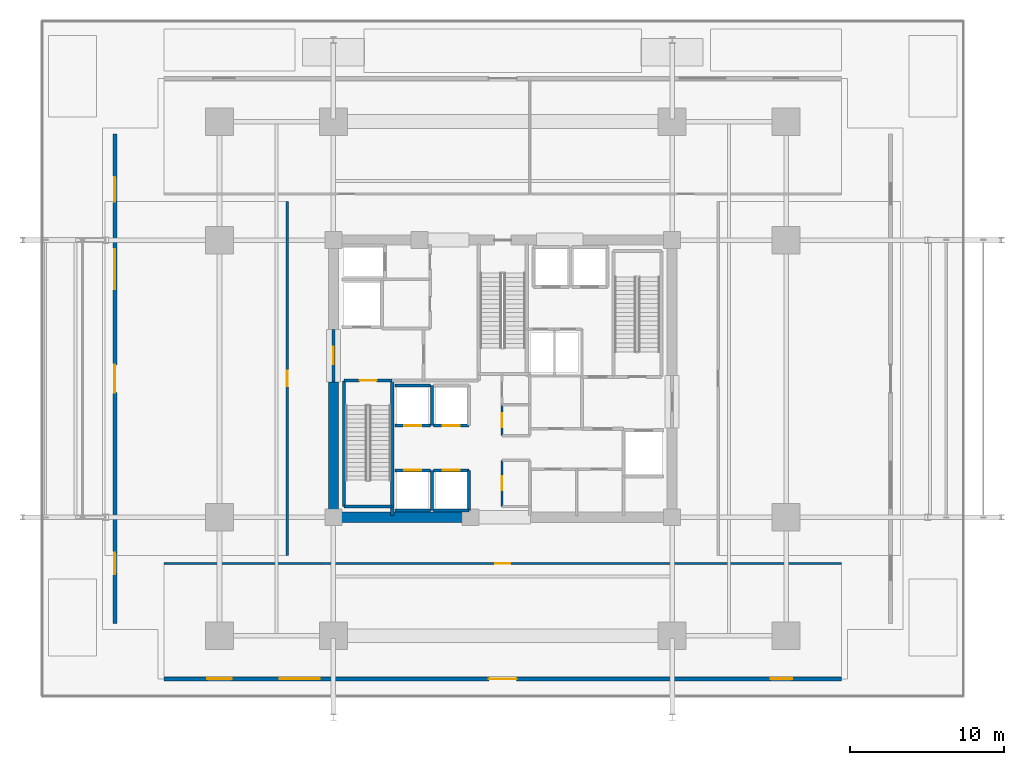
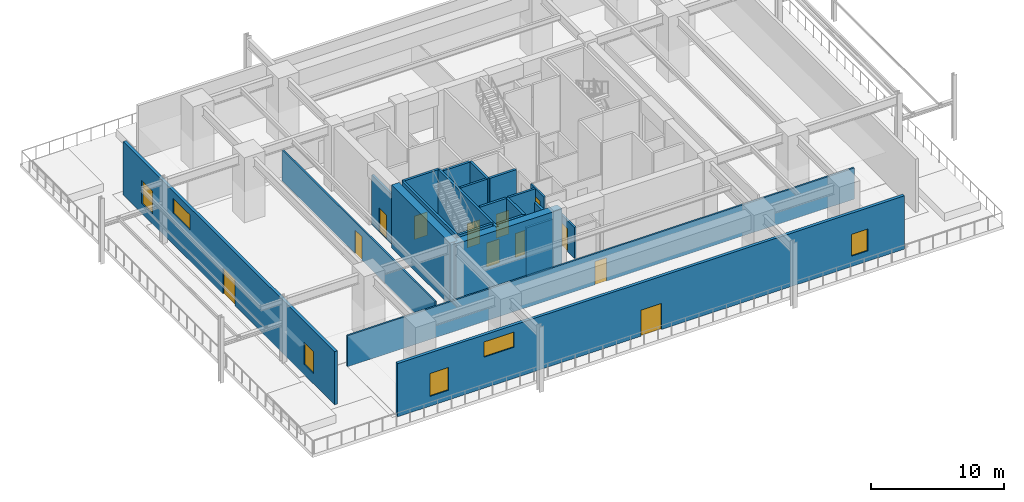
# One storey, part 6 of 14: 23 walls, 12 doors, 6 windows, 18 openings.
"""IFC4 building model written with IfcOpenShell, lengths in metres."""

from ifc_helpers import new_model, si_unit, direction, frame, frame_2d, origin, place, context, subcontext, project, spatial, rectangle, extrude, material, layer, layer_set, type_object, element, fill, save


model = new_model("IFC4")

# Units and contexts
model_context = context("Model", 3, precision=1e-05, world=origin(), true_north=direction((0.0, 1.0)))
body_context = subcontext(model_context, "Body", "Model", "MODEL_VIEW")
ifc_project = project(units=[si_unit("LENGTHUNIT", "METRE"), si_unit("AREAUNIT", "SQUARE_METRE"), si_unit("VOLUMEUNIT", "CUBIC_METRE"), si_unit("PLANEANGLEUNIT", "RADIAN"), si_unit("MASSUNIT", "GRAM", prefix="KILO")], contexts=[model_context])

# Site, building, storey
site_placement = place(None, origin())
site = spatial("IfcSite", under=ifc_project, at=site_placement, CompositionType="ELEMENT")
building_placement = place(site_placement, origin())
building = spatial("IfcBuilding", under=site, at=building_placement, Name="Kovane Verandah Tower", CompositionType="ELEMENT")
storey_placement = place(building_placement, frame((0.0, 0.0, 21.60009765625)))
storey = spatial("IfcBuildingStorey", under=building, at=storey_placement, Name="L04", CompositionType="ELEMENT", Elevation=21.60009765625)

# Wall, opening, door
ifc_material_1 = material(Name="Fire-Rated Gypsum Stud Partition", Category="gypsum")
ifc_layer_1 = layer(ifc_material_1, 0.14990234375)
ifc_layer_set_1 = layer_set([ifc_layer_1], Name="Fire-Rated Gypsum Stud Partition")
wall_type_1 = type_object("IfcWallType", Name="WL-COR-150", PredefinedType="PARTITIONING", material=ifc_layer_set_1)
wall_1_placement = place(storey_placement, frame((39.949951171875, 19.199951171875, 0.0), z_axis=(0.0, 0.0, 1.0), x_axis=(0.0, 1.0, 0.0)))
wall_1 = element("IfcWall", 1, at=wall_1_placement, inside=storey, type_object=wall_type_1, Name="L04 Male Toilet Partition", PredefinedType="PARTITIONING", context=body_context, shape_type="SweptSolid", body=[
    extrude(rectangle(XDim=3.0, YDim=0.14990234375, at=frame_2d((1.5, 0.0))), origin(), (0.0, 0.0, 1.0), 2.849853515625),
])
opening_1_placement = place(wall_1_placement, frame((1.050048828125, 0.0, 0.0)))
opening_1 = element("IfcOpeningElement", 2, at=opening_1_placement, cuts=wall_1, Name="Opening DR-L04-027", PredefinedType="OPENING", context=body_context, shape_type="SweptSolid", body=[
    extrude(rectangle(XDim=0.89990234375, YDim=2.10009765625, at=frame_2d((0.449951171875, 1.050048828125))), frame((0.0, 0.074951171875, 0.0), z_axis=(0.0, -1.0, 0.0), x_axis=(1.0, 0.0, 0.0)), (0.0, 0.0, 1.0), 0.14990234375),
])
ifc_material_2 = material(Name="Moisture-Resistant Laminate Washroom Door", Category="wood")
door_type_1 = type_object("IfcDoorType", Name="DR-WC-900", OperationType="SINGLE_SWING_LEFT", PredefinedType="DOOR", material=ifc_material_2)
door_1_placement = place(opening_1_placement, origin())
door_1 = element("IfcDoor", 3, at=door_1_placement, inside=storey, type_object=door_type_1, Name="L04 Male Toilet Door", OperationType="SINGLE_SWING_LEFT", OverallHeight=2.10009765625, OverallWidth=0.89990234375, PredefinedType="DOOR", context=body_context, shape_type="SweptSolid", body=[
    extrude(rectangle(XDim=0.89990234375, YDim=2.10009765625, at=frame_2d((0.449951171875, 1.050048828125))), frame((0.0, 0.02490234375, 0.0), z_axis=(0.0, -1.0, 0.0), x_axis=(1.0, 0.0, 0.0)), (0.0, 0.0, 1.0), 0.050048828125),
])
fill(opening_1, door_1)

wall_2_placement = place(storey_placement, frame((39.949951171875, 23.800048828125, 0.0), z_axis=(0.0, 0.0, 1.0), x_axis=(0.0, 1.0, 0.0)))
wall_2 = element("IfcWall", 4, at=wall_2_placement, inside=storey, type_object=wall_type_1, Name="L04 Female Toilet Partition", PredefinedType="PARTITIONING", context=body_context, shape_type="SweptSolid", body=[
    extrude(rectangle(XDim=2.0, YDim=0.14990234375, at=frame_2d((1.0, 0.0))), origin(), (0.0, 0.0, 1.0), 2.849853515625),
])
opening_2_placement = place(wall_2_placement, frame((0.550048828125, 0.0, 0.0)))
opening_2 = element("IfcOpeningElement", 5, at=opening_2_placement, cuts=wall_2, Name="Opening DR-L04-026", PredefinedType="OPENING", context=body_context, shape_type="SweptSolid", body=[
    extrude(rectangle(XDim=0.89990234375, YDim=2.10009765625, at=frame_2d((0.449951171875, 1.050048828125))), frame((0.0, 0.074951171875, 0.0), z_axis=(0.0, -1.0, 0.0), x_axis=(1.0, 0.0, 0.0)), (0.0, 0.0, 1.0), 0.14990234375),
])
door_2_placement = place(opening_2_placement, origin())
door_2 = element("IfcDoor", 6, at=door_2_placement, inside=storey, type_object=door_type_1, Name="L04 Female Toilet Door", OperationType="SINGLE_SWING_RIGHT", OverallHeight=2.10009765625, OverallWidth=0.89990234375, PredefinedType="DOOR", context=body_context, shape_type="SweptSolid", body=[
    extrude(rectangle(XDim=0.89990234375, YDim=2.10009765625, at=frame_2d((0.449951171875, 1.050048828125))), frame((0.0, 0.02490234375, 0.0), z_axis=(0.0, -1.0, 0.0), x_axis=(1.0, 0.0, 0.0)), (0.0, 0.0, 1.0), 0.050048828125),
])
fill(opening_2, door_2)

wall_3_placement = place(storey_placement, frame((18.0, 15.5, 0.0), z_axis=(0.0, 0.0, 1.0), x_axis=(1.0, 0.0, 0.0)))
wall_3 = element("IfcWall", 7, at=wall_3_placement, inside=storey, type_object=wall_type_1, Name="L04 Raised Garden Pavilion Reception Hall Corridor Partition", PredefinedType="PARTITIONING", context=body_context, shape_type="SweptSolid", body=[
    extrude(rectangle(XDim=44.0, YDim=0.14990234375, at=frame_2d((22.0, 0.0))), origin(), (0.0, 0.0, 1.0), 2.849853515625),
])
opening_3_placement = place(wall_3_placement, frame((21.5, 0.0, 0.0)))
opening_3 = element("IfcOpeningElement", 8, at=opening_3_placement, cuts=wall_3, Name="Opening DR-L04-023", PredefinedType="OPENING", context=body_context, shape_type="SweptSolid", body=[
    extrude(rectangle(XDim=1.0, YDim=2.14990234375, at=frame_2d((0.5, 1.074951171875))), frame((0.0, 0.074951171875, 0.0), z_axis=(0.0, -1.0, 0.0), x_axis=(1.0, 0.0, 0.0)), (0.0, 0.0, 1.0), 0.14990234375),
])
ifc_material_3 = material(Name="FSC Spotted-Gum Timber Fire-Rated Office Door", Category="wood")
door_type_2 = type_object("IfcDoorType", Name="DR-OFF-1000", OperationType="SINGLE_SWING_LEFT", PredefinedType="DOOR", material=ifc_material_3)
door_3_placement = place(opening_3_placement, origin())
door_3 = element("IfcDoor", 9, at=door_3_placement, inside=storey, type_object=door_type_2, Name="L04 Raised Garden Pavilion Reception Hall Entrance Door", OperationType="SINGLE_SWING_LEFT", OverallHeight=2.14990234375, OverallWidth=1.0, PredefinedType="DOOR", context=body_context, shape_type="SweptSolid", body=[
    extrude(rectangle(XDim=1.0, YDim=2.14990234375, at=frame_2d((0.5, 1.074951171875))), frame((0.0, 0.02490234375, 0.0), z_axis=(0.0, -1.0, 0.0), x_axis=(1.0, 0.0, 0.0)), (0.0, 0.0, 1.0), 0.050048828125),
])
fill(opening_3, door_3)

wall_4_placement = place(storey_placement, frame((26.0, 16.0, 0.0), z_axis=(0.0, 0.0, 1.0), x_axis=(0.0, 1.0, 0.0)))
wall_4 = element("IfcWall", 10, at=wall_4_placement, inside=storey, type_object=wall_type_1, Name="L04 West Conservatory Co-Working Suite Corridor Partition", PredefinedType="PARTITIONING", context=body_context, shape_type="SweptSolid", body=[
    extrude(rectangle(XDim=23.0, YDim=0.14990234375, at=frame_2d((11.5, 0.0))), origin(), (0.0, 0.0, 1.0), 2.849853515625),
])
opening_4_placement = place(wall_4_placement, frame((11.0, 0.0, 0.0)))
opening_4 = element("IfcOpeningElement", 11, at=opening_4_placement, cuts=wall_4, Name="Opening DR-L04-016", PredefinedType="OPENING", context=body_context, shape_type="SweptSolid", body=[
    extrude(rectangle(XDim=1.0, YDim=2.14990234375, at=frame_2d((0.5, 1.074951171875))), frame((0.0, 0.074951171875, 0.0), z_axis=(0.0, -1.0, 0.0), x_axis=(1.0, 0.0, 0.0)), (0.0, 0.0, 1.0), 0.14990234375),
])
door_4_placement = place(opening_4_placement, origin())
door_4 = element("IfcDoor", 12, at=door_4_placement, inside=storey, type_object=door_type_2, Name="L04 West Conservatory Co-Working Suite Entrance Door", OperationType="SINGLE_SWING_RIGHT", OverallHeight=2.14990234375, OverallWidth=1.0, PredefinedType="DOOR", context=body_context, shape_type="SweptSolid", body=[
    extrude(rectangle(XDim=1.0, YDim=2.14990234375, at=frame_2d((0.5, 1.074951171875))), frame((0.0, 0.02490234375, 0.0), z_axis=(0.0, -1.0, 0.0), x_axis=(1.0, 0.0, 0.0)), (0.0, 0.0, 1.0), 0.050048828125),
])
fill(opening_4, door_4)

# Walls
ifc_material_4 = material(Name="Concrete C80/95", Category="concrete")
ifc_layer_2 = layer(ifc_material_4, 0.64990234375)
ifc_layer_set_2 = layer_set([ifc_layer_2], Name="Concrete C80/95")
wall_type_2 = type_object("IfcWallType", Name="WL-CORE-650", PredefinedType="SHEAR", material=ifc_layer_set_2)
wall_5_placement = place(storey_placement, frame((29.0, 18.5, 0.0), z_axis=(0.0, 0.0, 1.0), x_axis=(1.0, 0.0, 0.0)))
element("IfcWall", 13, at=wall_5_placement, inside=storey, type_object=wall_type_2, Name="L04 Core Shear Wall CS-1", PredefinedType="SHEAR", context=body_context, shape_type="SweptSolid", body=[
    extrude(rectangle(XDim=9.199951171875, YDim=0.64990234375, at=frame_2d((4.60009765625, 0.0))), origin(), (0.0, 0.0, 1.0), 5.760009765625),
])
wall_6_placement = place(storey_placement, frame((29.0, 18.5, 0.0), z_axis=(0.0, 0.0, 1.0), x_axis=(0.0, 1.0, 0.0)))
element("IfcWall", 14, at=wall_6_placement, inside=storey, type_object=wall_type_2, Name="L04 Core Shear Wall CW-1", PredefinedType="SHEAR", context=body_context, shape_type="SweptSolid", body=[
    extrude(rectangle(XDim=8.800048828125, YDim=0.64990234375, at=frame_2d((4.39990234375, 0.0))), origin(), (0.0, 0.0, 1.0), 5.760009765625),
])

# Wall, opening, door
ifc_material_5 = material(Name="Concrete C45/55 Fire Wall", Category="concrete")
ifc_layer_3 = layer(ifc_material_5, 0.199951171875)
ifc_layer_set_3 = layer_set([ifc_layer_3], Name="Concrete C45/55 Fire Wall")
wall_type_3 = type_object("IfcWallType", Name="WL-FFL-200", PredefinedType="PARTITIONING", material=ifc_layer_set_3)
wall_7_placement = place(storey_placement, frame((29.0, 27.300048828125, 0.0), z_axis=(0.0, 0.0, 1.0), x_axis=(0.0, 1.0, 0.0)))
wall_7 = element("IfcWall", 15, at=wall_7_placement, inside=storey, type_object=wall_type_3, Name="W-L04-FFLW-OUT", PredefinedType="PARTITIONING", context=body_context, shape_type="SweptSolid", body=[
    extrude(rectangle(XDim=3.39990234375, YDim=0.199951171875, at=frame_2d((1.699951171875, 0.0))), origin(), (0.0, 0.0, 1.0), 4.539794921875),
])
opening_5_placement = place(wall_7_placement, frame((1.125, 0.0, 0.0)))
opening_5 = element("IfcOpeningElement", 16, at=opening_5_placement, cuts=wall_7, Name="Opening DR-L04-005", PredefinedType="OPENING", context=body_context, shape_type="SweptSolid", body=[
    extrude(rectangle(XDim=1.14990234375, YDim=2.199951171875, at=frame_2d((0.574951171875, 1.10009765625))), frame((0.0, 0.10009765625, 0.0), z_axis=(0.0, -1.0, 0.0), x_axis=(1.0, 0.0, 0.0)), (0.0, 0.0, 1.0), 0.199951171875),
])
ifc_material_6 = material(Name="Smoke-Sealed Firefighting Lobby Door", Category="steel")
door_type_3 = type_object("IfcDoorType", Name="DR-FFL-1150", OperationType="SINGLE_SWING_LEFT", PredefinedType="DOOR", material=ifc_material_6)
door_5_placement = place(opening_5_placement, origin())
door_5 = element("IfcDoor", 17, at=door_5_placement, inside=storey, type_object=door_type_3, Name="L04 West Firefighting Lobby Corridor Door", OperationType="SINGLE_SWING_RIGHT", OverallHeight=2.199951171875, OverallWidth=1.14990234375, PredefinedType="DOOR", context=body_context, shape_type="SweptSolid", body=[
    extrude(rectangle(XDim=1.14990234375, YDim=2.199951171875, at=frame_2d((0.574951171875, 1.10009765625))), frame((0.0, 0.02490234375, 0.0), z_axis=(0.0, -1.0, 0.0), x_axis=(1.0, 0.0, 0.0)), (0.0, 0.0, 1.0), 0.050048828125),
])
fill(opening_5, door_5)

# Wall
ifc_material_7 = material(Name="Concrete C45/55 Lift Shaft Wall", Category="concrete")
ifc_layer_4 = layer(ifc_material_7, 0.199951171875)
ifc_layer_set_4 = layer_set([ifc_layer_4], Name="Concrete C45/55 Lift Shaft Wall")
wall_type_4 = type_object("IfcWallType", Name="WL-LIFT-200", PredefinedType="SOLIDWALL", material=ifc_layer_set_4)
wall_8_placement = place(storey_placement, frame((33.0, 18.949951171875, 0.0), z_axis=(0.0, 0.0, 1.0), x_axis=(1.0, 0.0, 0.0)))
element("IfcWall", 18, at=wall_8_placement, inside=storey, type_object=wall_type_4, Name="L04 Lift PL-L1 S Shaft Wall", PredefinedType="SOLIDWALL", context=body_context, shape_type="SweptSolid", body=[
    extrude(rectangle(XDim=2.300048828125, YDim=0.199951171875, at=frame_2d((1.14990234375, 0.0))), origin(), (0.0, 0.0, 1.0), 5.760009765625),
])

# Wall, opening, door
wall_9_placement = place(storey_placement, frame((35.300048828125, 21.550048828125, 0.0), z_axis=(0.0, 0.0, 1.0), x_axis=(-1.0, 0.0, 0.0)))
wall_9 = element("IfcWall", 19, at=wall_9_placement, inside=storey, type_object=wall_type_4, Name="L04 Lift PL-L1 N Shaft Wall", PredefinedType="SOLIDWALL", context=body_context, shape_type="SweptSolid", body=[
    extrude(rectangle(XDim=2.300048828125, YDim=0.199951171875, at=frame_2d((1.14990234375, 0.0))), origin(), (0.0, 0.0, 1.0), 5.760009765625),
])
opening_6_placement = place(wall_9_placement, frame((0.60009765625, 0.0, 0.0)))
opening_6 = element("IfcOpeningElement", 20, at=opening_6_placement, cuts=wall_9, Name="Opening LD-L04-005", PredefinedType="OPENING", context=body_context, shape_type="SweptSolid", body=[
    extrude(rectangle(XDim=1.10009765625, YDim=2.199951171875, at=frame_2d((0.550048828125, 1.10009765625))), frame((0.0, 0.10009765625, 0.0), z_axis=(0.0, -1.0, 0.0), x_axis=(1.0, 0.0, 0.0)), (0.0, 0.0, 1.0), 0.199951171875),
])
ifc_material_8 = material(Name="Brushed Stainless Steel Sliding Lift Landing Door", Category="steel")
door_type_4 = type_object("IfcDoorType", Name="DR-LIFT-1100", OperationType="SLIDING_TO_RIGHT", PredefinedType="DOOR", material=ifc_material_8)
door_6_placement = place(opening_6_placement, origin())
door_6 = element("IfcDoor", 21, at=door_6_placement, inside=storey, type_object=door_type_4, Name="L04 Lift PL-L1 Sliding Landing Door", OperationType="SLIDING_TO_RIGHT", OverallHeight=2.199951171875, OverallWidth=1.10009765625, PredefinedType="DOOR", context=body_context, shape_type="SweptSolid", body=[
    extrude(rectangle(XDim=1.10009765625, YDim=2.199951171875, at=frame_2d((0.550048828125, 1.10009765625))), frame((0.0, 0.02490234375, 0.0), z_axis=(0.0, -1.0, 0.0), x_axis=(1.0, 0.0, 0.0)), (0.0, 0.0, 1.0), 0.050048828125),
])
fill(opening_6, door_6)

# Walls
wall_10_placement = place(storey_placement, frame((35.39990234375, 18.949951171875, 0.0), z_axis=(0.0, 0.0, 1.0), x_axis=(0.0, 1.0, 0.0)))
element("IfcWall", 22, at=wall_10_placement, inside=storey, type_object=wall_type_4, Name="L04 Lift PL-L1 and PL-L2 Shared Shaft Wall", PredefinedType="SOLIDWALL", context=body_context, shape_type="SweptSolid", body=[
    extrude(rectangle(XDim=2.60009765625, YDim=0.199951171875, at=frame_2d((1.300048828125, 0.0))), origin(), (0.0, 0.0, 1.0), 5.760009765625),
])
wall_11_placement = place(storey_placement, frame((35.5, 18.949951171875, 0.0), z_axis=(0.0, 0.0, 1.0), x_axis=(1.0, 0.0, 0.0)))
element("IfcWall", 23, at=wall_11_placement, inside=storey, type_object=wall_type_4, Name="L04 Lift PL-L2 S Shaft Wall", PredefinedType="SOLIDWALL", context=body_context, shape_type="SweptSolid", body=[
    extrude(rectangle(XDim=2.300048828125, YDim=0.199951171875, at=frame_2d((1.14990234375, 0.0))), origin(), (0.0, 0.0, 1.0), 4.539794921875),
])

# Wall, opening, door
wall_12_placement = place(storey_placement, frame((37.800048828125, 21.550048828125, 0.0), z_axis=(0.0, 0.0, 1.0), x_axis=(-1.0, 0.0, 0.0)))
wall_12 = element("IfcWall", 24, at=wall_12_placement, inside=storey, type_object=wall_type_4, Name="L04 Lift PL-L2 N Shaft Wall", PredefinedType="SOLIDWALL", context=body_context, shape_type="SweptSolid", body=[
    extrude(rectangle(XDim=2.300048828125, YDim=0.199951171875, at=frame_2d((1.14990234375, 0.0))), origin(), (0.0, 0.0, 1.0), 5.760009765625),
])
opening_7_placement = place(wall_12_placement, frame((0.60009765625, 0.0, 0.0)))
opening_7 = element("IfcOpeningElement", 25, at=opening_7_placement, cuts=wall_12, Name="Opening LD-L04-006", PredefinedType="OPENING", context=body_context, shape_type="SweptSolid", body=[
    extrude(rectangle(XDim=1.10009765625, YDim=2.199951171875, at=frame_2d((0.550048828125, 1.10009765625))), frame((0.0, 0.10009765625, 0.0), z_axis=(0.0, -1.0, 0.0), x_axis=(1.0, 0.0, 0.0)), (0.0, 0.0, 1.0), 0.199951171875),
])
door_7_placement = place(opening_7_placement, origin())
door_7 = element("IfcDoor", 26, at=door_7_placement, inside=storey, type_object=door_type_4, Name="L04 Lift PL-L2 Sliding Landing Door", OperationType="SLIDING_TO_RIGHT", OverallHeight=2.199951171875, OverallWidth=1.10009765625, PredefinedType="DOOR", context=body_context, shape_type="SweptSolid", body=[
    extrude(rectangle(XDim=1.10009765625, YDim=2.199951171875, at=frame_2d((0.550048828125, 1.10009765625))), frame((0.0, 0.02490234375, 0.0), z_axis=(0.0, -1.0, 0.0), x_axis=(1.0, 0.0, 0.0)), (0.0, 0.0, 1.0), 0.050048828125),
])
fill(opening_7, door_7)

# Wall
wall_13_placement = place(storey_placement, frame((37.800048828125, 18.949951171875, 0.0), z_axis=(0.0, 0.0, 1.0), x_axis=(0.0, 1.0, 0.0)))
element("IfcWall", 27, at=wall_13_placement, inside=storey, type_object=wall_type_4, Name="L04 Lift PL-L2 E Shaft Wall", PredefinedType="SOLIDWALL", context=body_context, shape_type="SweptSolid", body=[
    extrude(rectangle(XDim=2.60009765625, YDim=0.199951171875, at=frame_2d((1.300048828125, 0.0))), origin(), (0.0, 0.0, 1.0), 4.539794921875),
])

# Wall, opening, door
wall_14_placement = place(storey_placement, frame((33.0, 24.449951171875, 0.0), z_axis=(0.0, 0.0, 1.0), x_axis=(1.0, 0.0, 0.0)))
wall_14 = element("IfcWall", 28, at=wall_14_placement, inside=storey, type_object=wall_type_4, Name="L04 Lift PL-L3 S Shaft Wall", PredefinedType="SOLIDWALL", context=body_context, shape_type="SweptSolid", body=[
    extrude(rectangle(XDim=2.300048828125, YDim=0.199951171875, at=frame_2d((1.14990234375, 0.0))), origin(), (0.0, 0.0, 1.0), 5.760009765625),
])
opening_8_placement = place(wall_14_placement, frame((0.60009765625, 0.0, 0.0)))
opening_8 = element("IfcOpeningElement", 29, at=opening_8_placement, cuts=wall_14, Name="Opening LD-L04-007", PredefinedType="OPENING", context=body_context, shape_type="SweptSolid", body=[
    extrude(rectangle(XDim=1.10009765625, YDim=2.199951171875, at=frame_2d((0.550048828125, 1.10009765625))), frame((0.0, 0.10009765625, 0.0), z_axis=(0.0, -1.0, 0.0), x_axis=(1.0, 0.0, 0.0)), (0.0, 0.0, 1.0), 0.199951171875),
])
door_8_placement = place(opening_8_placement, origin())
door_8 = element("IfcDoor", 30, at=door_8_placement, inside=storey, type_object=door_type_4, Name="L04 Lift PL-L3 Sliding Landing Door", OperationType="SLIDING_TO_RIGHT", OverallHeight=2.199951171875, OverallWidth=1.10009765625, PredefinedType="DOOR", context=body_context, shape_type="SweptSolid", body=[
    extrude(rectangle(XDim=1.10009765625, YDim=2.199951171875, at=frame_2d((0.550048828125, 1.10009765625))), frame((0.0, 0.02490234375, 0.0), z_axis=(0.0, -1.0, 0.0), x_axis=(1.0, 0.0, 0.0)), (0.0, 0.0, 1.0), 0.050048828125),
])
fill(opening_8, door_8)

# Walls
wall_15_placement = place(storey_placement, frame((35.300048828125, 27.050048828125, 0.0), z_axis=(0.0, 0.0, 1.0), x_axis=(-1.0, 0.0, 0.0)))
element("IfcWall", 31, at=wall_15_placement, inside=storey, type_object=wall_type_4, Name="L04 Lift PL-L3 N Shaft Wall", PredefinedType="SOLIDWALL", context=body_context, shape_type="SweptSolid", body=[
    extrude(rectangle(XDim=2.300048828125, YDim=0.199951171875, at=frame_2d((1.14990234375, 0.0))), origin(), (0.0, 0.0, 1.0), 5.760009765625),
])
wall_16_placement = place(storey_placement, frame((35.39990234375, 24.449951171875, 0.0), z_axis=(0.0, 0.0, 1.0), x_axis=(0.0, 1.0, 0.0)))
element("IfcWall", 32, at=wall_16_placement, inside=storey, type_object=wall_type_4, Name="L04 Lift PL-L3 and PL-L4 Shared Shaft Wall", PredefinedType="SOLIDWALL", context=body_context, shape_type="SweptSolid", body=[
    extrude(rectangle(XDim=2.60009765625, YDim=0.199951171875, at=frame_2d((1.300048828125, 0.0))), origin(), (0.0, 0.0, 1.0), 5.760009765625),
])

# Wall, opening, door
wall_17_placement = place(storey_placement, frame((35.5, 24.449951171875, 0.0), z_axis=(0.0, 0.0, 1.0), x_axis=(1.0, 0.0, 0.0)))
wall_17 = element("IfcWall", 33, at=wall_17_placement, inside=storey, type_object=wall_type_4, Name="L04 Lift PL-L4 S Shaft Wall", PredefinedType="SOLIDWALL", context=body_context, shape_type="SweptSolid", body=[
    extrude(rectangle(XDim=2.300048828125, YDim=0.199951171875, at=frame_2d((1.14990234375, 0.0))), origin(), (0.0, 0.0, 1.0), 5.760009765625),
])
opening_9_placement = place(wall_17_placement, frame((0.60009765625, 0.0, 0.0)))
opening_9 = element("IfcOpeningElement", 34, at=opening_9_placement, cuts=wall_17, Name="Opening LD-L04-008", PredefinedType="OPENING", context=body_context, shape_type="SweptSolid", body=[
    extrude(rectangle(XDim=1.10009765625, YDim=2.199951171875, at=frame_2d((0.550048828125, 1.10009765625))), frame((0.0, 0.10009765625, 0.0), z_axis=(0.0, -1.0, 0.0), x_axis=(1.0, 0.0, 0.0)), (0.0, 0.0, 1.0), 0.199951171875),
])
door_9_placement = place(opening_9_placement, origin())
door_9 = element("IfcDoor", 35, at=door_9_placement, inside=storey, type_object=door_type_4, Name="L04 Lift PL-L4 Sliding Landing Door", OperationType="SLIDING_TO_RIGHT", OverallHeight=2.199951171875, OverallWidth=1.10009765625, PredefinedType="DOOR", context=body_context, shape_type="SweptSolid", body=[
    extrude(rectangle(XDim=1.10009765625, YDim=2.199951171875, at=frame_2d((0.550048828125, 1.10009765625))), frame((0.0, 0.02490234375, 0.0), z_axis=(0.0, -1.0, 0.0), x_axis=(1.0, 0.0, 0.0)), (0.0, 0.0, 1.0), 0.050048828125),
])
fill(opening_9, door_9)

# Walls
ifc_material_9 = material(Name="Concrete C45/55", Category="concrete")
ifc_layer_5 = layer(ifc_material_9, 0.199951171875)
ifc_layer_set_5 = layer_set([ifc_layer_5], Name="Concrete C45/55")
wall_type_5 = type_object("IfcWallType", Name="WL-SHAFT-200", PredefinedType="SOLIDWALL", material=ifc_layer_set_5)
wall_18_placement = place(storey_placement, frame((29.699951171875, 19.199951171875, 0.0), z_axis=(0.0, 0.0, 1.0), x_axis=(0.0, 1.0, 0.0)))
element("IfcWall", 36, at=wall_18_placement, inside=storey, type_object=wall_type_5, Name="W-L04-ST01-W", PredefinedType="SOLIDWALL", context=body_context, shape_type="SweptSolid", body=[
    extrude(rectangle(XDim=8.150146484375, YDim=0.199951171875, at=frame_2d((4.0751953125, 0.0))), origin(), (0.0, 0.0, 1.0), 5.760009765625),
])
wall_19_placement = place(storey_placement, frame((29.699951171875, 19.199951171875, 0.0), z_axis=(0.0, 0.0, 1.0), x_axis=(1.0, 0.0, 0.0)))
element("IfcWall", 37, at=wall_19_placement, inside=storey, type_object=wall_type_5, Name="W-L04-ST01-S", PredefinedType="SOLIDWALL", context=body_context, shape_type="SweptSolid", body=[
    extrude(rectangle(XDim=3.1201171875, YDim=0.199951171875, at=frame_2d((1.56005859375, 0.0))), origin(), (0.0, 0.0, 1.0), 5.760009765625),
])
wall_20_placement = place(storey_placement, frame((32.820068359375, 18.60009765625, 0.0), z_axis=(0.0, 0.0, 1.0), x_axis=(0.0, 1.0, 0.0)))
element("IfcWall", 38, at=wall_20_placement, inside=storey, type_object=wall_type_5, Name="W-L04-ST01-E", PredefinedType="SOLIDWALL", context=body_context, shape_type="SweptSolid", body=[
    extrude(rectangle(XDim=8.77978515625, YDim=0.199951171875, at=frame_2d((4.389892578125, 0.0))), origin(), (0.0, 0.0, 1.0), 5.760009765625),
])

# Wall, opening, door
wall_21_placement = place(storey_placement, frame((29.699951171875, 27.3798828125, 0.0), z_axis=(0.0, 0.0, 1.0), x_axis=(1.0, 0.0, 0.0)))
wall_21 = element("IfcWall", 39, at=wall_21_placement, inside=storey, type_object=wall_type_5, Name="W-L04-ST01-N", PredefinedType="SOLIDWALL", context=body_context, shape_type="SweptSolid", body=[
    extrude(rectangle(XDim=3.1201171875, YDim=0.199951171875, at=frame_2d((1.56005859375, 0.0))), origin(), (0.0, 0.0, 1.0), 5.760009765625),
])
opening_10_placement = place(wall_21_placement, frame((1.010009765625, 0.0, 0.0)))
opening_10 = element("IfcOpeningElement", 40, at=opening_10_placement, cuts=wall_21, Name="Opening DR-L04-011", PredefinedType="OPENING", context=body_context, shape_type="SweptSolid", body=[
    extrude(rectangle(XDim=1.10009765625, YDim=2.14990234375, at=frame_2d((0.550048828125, 1.074951171875))), frame((0.0, 0.10009765625, 0.0), z_axis=(0.0, -1.0, 0.0), x_axis=(1.0, 0.0, 0.0)), (0.0, 0.0, 1.0), 0.199951171875),
])
ifc_material_10 = material(Name="Fire-Rated Steel Exit Door", Category="steel")
door_type_5 = type_object("IfcDoorType", Name="DR-STAIR-1100", OperationType="SINGLE_SWING_LEFT", PredefinedType="DOOR", material=ifc_material_10)
door_10_placement = place(opening_10_placement, origin())
door_10 = element("IfcDoor", 41, at=door_10_placement, inside=storey, type_object=door_type_5, Name="L04 ST-01 Fire Exit Stair Door", OperationType="SINGLE_SWING_RIGHT", OverallHeight=2.14990234375, OverallWidth=1.10009765625, PredefinedType="DOOR", context=body_context, shape_type="SweptSolid", body=[
    extrude(rectangle(XDim=1.10009765625, YDim=2.14990234375, at=frame_2d((0.550048828125, 1.074951171875))), frame((0.0, 0.02490234375, 0.0), z_axis=(0.0, -1.0, 0.0), x_axis=(1.0, 0.0, 0.0)), (0.0, 0.0, 1.0), 0.050048828125),
])
fill(opening_10, door_10)

# Wall, openings, door, windows
ifc_material_11 = material(Name="Concrete C45/55 Insulated Spandrel Wall", Category="concrete")
ifc_layer_6 = layer(ifc_material_11, 0.260009765625)
ifc_layer_set_6 = layer_set([ifc_layer_6], Name="Concrete C45/55 Insulated Spandrel Wall")
wall_type_6 = type_object("IfcWallType", Name="WL-SPANDREL-260", PredefinedType="PARAPET", material=ifc_layer_set_6)
wall_22_placement = place(storey_placement, frame((18.0, 8.0, 0.0), z_axis=(0.0, 0.0, 1.0), x_axis=(1.0, 0.0, 0.0)))
wall_22 = element("IfcWall", 42, at=wall_22_placement, inside=storey, type_object=wall_type_6, Name="L04 Garden Pavilion S Wall", PredefinedType="PARAPET", context=body_context, shape_type="SweptSolid", body=[
    extrude(rectangle(XDim=44.0, YDim=0.260009765625, at=frame_2d((22.0, 0.0))), origin(), (0.0, 0.0, 1.0), 4.888916015625),
])
opening_11_placement = place(wall_22_placement, frame((2.800048828125, 0.0, 0.89990234375)))
opening_11 = element("IfcOpeningElement", 43, at=opening_11_placement, cuts=wall_22, Name="Opening W-02", PredefinedType="OPENING", context=body_context, shape_type="SweptSolid", body=[
    extrude(rectangle(XDim=1.60009765625, YDim=2.10009765625, at=frame_2d((0.800048828125, 1.050048828125))), frame((0.0, 0.1298828125, 0.0), z_axis=(0.0, -1.0, 0.0), x_axis=(1.0, 0.0, 0.0)), (0.0, 0.0, 1.0), 0.260009765625),
])
opening_12_placement = place(wall_22_placement, frame((7.5, 0.0, 2.85009765625)))
opening_12 = element("IfcOpeningElement", 44, at=opening_12_placement, cuts=wall_22, Name="Opening SK-01", PredefinedType="OPENING", context=body_context, shape_type="SweptSolid", body=[
    extrude(rectangle(XDim=2.60009765625, YDim=1.39990234375, at=frame_2d((1.300048828125, 0.699951171875))), frame((0.0, 0.1298828125, 0.0), z_axis=(0.0, -1.0, 0.0), x_axis=(1.0, 0.0, 0.0)), (0.0, 0.0, 1.0), 0.260009765625),
])
opening_13_placement = place(wall_22_placement, frame((21.10009765625, 0.0, 0.0)))
opening_13 = element("IfcOpeningElement", 45, at=opening_13_placement, cuts=wall_22, Name="Opening DR-L04-008", PredefinedType="OPENING", context=body_context, shape_type="SweptSolid", body=[
    extrude(rectangle(XDim=1.800048828125, YDim=2.39990234375, at=frame_2d((0.89990234375, 1.199951171875))), frame((0.0, 0.1298828125, 0.0), z_axis=(0.0, -1.0, 0.0), x_axis=(1.0, 0.0, 0.0)), (0.0, 0.0, 1.0), 0.260009765625),
])
opening_14_placement = place(wall_22_placement, frame((39.39990234375, 0.0, 0.949951171875)))
opening_14 = element("IfcOpeningElement", 46, at=opening_14_placement, cuts=wall_22, Name="Opening W-01", PredefinedType="OPENING", context=body_context, shape_type="SweptSolid", body=[
    extrude(rectangle(XDim=1.39990234375, YDim=2.0, at=frame_2d((0.699951171875, 1.0))), frame((0.0, 0.1298828125, 0.0), z_axis=(0.0, -1.0, 0.0), x_axis=(1.0, 0.0, 0.0)), (0.0, 0.0, 1.0), 0.260009765625),
])
ifc_material_12 = material(Name="Cyclone-Rated Glazed Verandah Double Door", Category="aluminium")
door_type_6 = type_object("IfcDoorType", Name="DR-TERR-1800x2400", OperationType="DOUBLE_DOOR_SINGLE_SWING", PredefinedType="DOOR", material=ifc_material_12)
door_11_placement = place(opening_13_placement, origin())
door_11 = element("IfcDoor", 47, at=door_11_placement, inside=storey, type_object=door_type_6, Name="South Raised Garden Pavilion Door", OperationType="DOUBLE_DOOR_SINGLE_SWING", OverallHeight=2.39990234375, OverallWidth=1.800048828125, PredefinedType="DOOR", context=body_context, shape_type="SweptSolid", body=[
    extrude(rectangle(XDim=1.800048828125, YDim=2.39990234375, at=frame_2d((0.89990234375, 1.199951171875))), frame((0.0, 0.02490234375, 0.0), z_axis=(0.0, -1.0, 0.0), x_axis=(1.0, 0.0, 0.0)), (0.0, 0.0, 1.0), 0.050048828125),
])
fill(opening_13, door_11)
ifc_material_13 = material(Name="Clear Low-E Laminated Double Glazing in Anodised Frame", Category="glass")
window_type_1 = type_object("IfcWindowType", Name="WN-OPER-1400x2000", PartitioningType="SINGLE_PANEL", PredefinedType="WINDOW", material=ifc_material_13)
window_1_placement = place(opening_14_placement, origin())
window_1 = element("IfcWindow", 48, at=window_1_placement, inside=storey, type_object=window_type_1, Name="L04 S Pavilion Window 2", OverallHeight=2.0, OverallWidth=1.39990234375, PartitioningType="SINGLE_PANEL", PredefinedType="WINDOW", context=body_context, shape_type="SweptSolid", body=[
    extrude(rectangle(XDim=1.39990234375, YDim=2.0, at=frame_2d((0.699951171875, 1.0))), frame((0.0, 0.030029296875, 0.0), z_axis=(0.0, -1.0, 0.0), x_axis=(1.0, 0.0, 0.0)), (0.0, 0.0, 1.0), 0.06005859375),
])
fill(opening_14, window_1)
window_type_2 = type_object("IfcWindowType", Name="WN-OPER-1600x2100", PartitioningType="SINGLE_PANEL", PredefinedType="WINDOW", material=ifc_material_13)
window_2_placement = place(opening_11_placement, origin())
window_2 = element("IfcWindow", 49, at=window_2_placement, inside=storey, type_object=window_type_2, Name="L04 S Pavilion Window 1", OverallHeight=2.10009765625, OverallWidth=1.60009765625, PartitioningType="SINGLE_PANEL", PredefinedType="WINDOW", context=body_context, shape_type="SweptSolid", body=[
    extrude(rectangle(XDim=1.60009765625, YDim=2.10009765625, at=frame_2d((0.800048828125, 1.050048828125))), frame((0.0, 0.030029296875, 0.0), z_axis=(0.0, -1.0, 0.0), x_axis=(1.0, 0.0, 0.0)), (0.0, 0.0, 1.0), 0.06005859375),
])
fill(opening_11, window_2)
window_type_3 = type_object("IfcWindowType", Name="WN-SKYLIGHT-2600", PartitioningType="SINGLE_PANEL", PredefinedType="SKYLIGHT", material=ifc_material_13)
window_3_placement = place(opening_12_placement, origin())
window_3 = element("IfcWindow", 50, at=window_3_placement, inside=storey, type_object=window_type_3, Name="L04 S Conservatory Lantern Window", OverallHeight=1.39990234375, OverallWidth=2.60009765625, PartitioningType="SINGLE_PANEL", PredefinedType="SKYLIGHT", context=body_context, shape_type="SweptSolid", body=[
    extrude(rectangle(XDim=2.60009765625, YDim=1.39990234375, at=frame_2d((1.300048828125, 0.699951171875))), frame((0.0, 0.030029296875, 0.0), z_axis=(0.0, -1.0, 0.0), x_axis=(1.0, 0.0, 0.0)), (0.0, 0.0, 1.0), 0.06005859375),
])
fill(opening_12, window_3)

wall_23_placement = place(storey_placement, frame((14.800048828125, 43.39990234375, 0.0), z_axis=(0.0, 0.0, 1.0), x_axis=(0.0, -1.0, 0.0)))
wall_23 = element("IfcWall", 51, at=wall_23_placement, inside=storey, type_object=wall_type_6, Name="L04 Garden Pavilion W Wall", PredefinedType="PARAPET", context=body_context, shape_type="SweptSolid", body=[
    extrude(rectangle(XDim=31.7998046875, YDim=0.260009765625, at=frame_2d((15.89990234375, 0.0))), origin(), (0.0, 0.0, 1.0), 4.888916015625),
])
opening_15_placement = place(wall_23_placement, frame((2.800048828125, 0.0, 0.89990234375)))
opening_15 = element("IfcOpeningElement", 52, at=opening_15_placement, cuts=wall_23, Name="Opening W-02", PredefinedType="OPENING", context=body_context, shape_type="SweptSolid", body=[
    extrude(rectangle(XDim=1.60009765625, YDim=2.10009765625, at=frame_2d((0.800048828125, 1.050048828125))), frame((0.0, 0.1298828125, 0.0), z_axis=(0.0, -1.0, 0.0), x_axis=(1.0, 0.0, 0.0)), (0.0, 0.0, 1.0), 0.260009765625),
])
opening_16_placement = place(wall_23_placement, frame((7.5, 0.0, 2.85009765625)))
opening_16 = element("IfcOpeningElement", 53, at=opening_16_placement, cuts=wall_23, Name="Opening SK-01", PredefinedType="OPENING", context=body_context, shape_type="SweptSolid", body=[
    extrude(rectangle(XDim=2.60009765625, YDim=1.39990234375, at=frame_2d((1.300048828125, 0.699951171875))), frame((0.0, 0.1298828125, 0.0), z_axis=(0.0, -1.0, 0.0), x_axis=(1.0, 0.0, 0.0)), (0.0, 0.0, 1.0), 0.260009765625),
])
opening_17_placement = place(wall_23_placement, frame((15.0, 0.0, 0.0)))
opening_17 = element("IfcOpeningElement", 54, at=opening_17_placement, cuts=wall_23, Name="Opening DR-L04-009", PredefinedType="OPENING", context=body_context, shape_type="SweptSolid", body=[
    extrude(rectangle(XDim=1.800048828125, YDim=2.39990234375, at=frame_2d((0.89990234375, 1.199951171875))), frame((0.0, 0.1298828125, 0.0), z_axis=(0.0, -1.0, 0.0), x_axis=(1.0, 0.0, 0.0)), (0.0, 0.0, 1.0), 0.260009765625),
])
opening_18_placement = place(wall_23_placement, frame((27.199951171875, 0.0, 0.949951171875)))
opening_18 = element("IfcOpeningElement", 55, at=opening_18_placement, cuts=wall_23, Name="Opening W-01", PredefinedType="OPENING", context=body_context, shape_type="SweptSolid", body=[
    extrude(rectangle(XDim=1.39990234375, YDim=2.0, at=frame_2d((0.699951171875, 1.0))), frame((0.0, 0.1298828125, 0.0), z_axis=(0.0, -1.0, 0.0), x_axis=(1.0, 0.0, 0.0)), (0.0, 0.0, 1.0), 0.260009765625),
])
door_12_placement = place(opening_17_placement, origin())
door_12 = element("IfcDoor", 56, at=door_12_placement, inside=storey, type_object=door_type_6, Name="West Conservatory Garden Door", OperationType="DOUBLE_DOOR_SINGLE_SWING", OverallHeight=2.39990234375, OverallWidth=1.800048828125, PredefinedType="DOOR", context=body_context, shape_type="SweptSolid", body=[
    extrude(rectangle(XDim=1.800048828125, YDim=2.39990234375, at=frame_2d((0.89990234375, 1.199951171875))), frame((0.0, 0.02490234375, 0.0), z_axis=(0.0, -1.0, 0.0), x_axis=(1.0, 0.0, 0.0)), (0.0, 0.0, 1.0), 0.050048828125),
])
fill(opening_17, door_12)
window_4_placement = place(opening_18_placement, origin())
window_4 = element("IfcWindow", 57, at=window_4_placement, inside=storey, type_object=window_type_1, Name="L04 W Pavilion Window 2", OverallHeight=2.0, OverallWidth=1.39990234375, PartitioningType="SINGLE_PANEL", PredefinedType="WINDOW", context=body_context, shape_type="SweptSolid", body=[
    extrude(rectangle(XDim=1.39990234375, YDim=2.0, at=frame_2d((0.699951171875, 1.0))), frame((0.0, 0.030029296875, 0.0), z_axis=(0.0, -1.0, 0.0), x_axis=(1.0, 0.0, 0.0)), (0.0, 0.0, 1.0), 0.06005859375),
])
fill(opening_18, window_4)
window_5_placement = place(opening_15_placement, origin())
window_5 = element("IfcWindow", 58, at=window_5_placement, inside=storey, type_object=window_type_2, Name="L04 W Pavilion Window 1", OverallHeight=2.10009765625, OverallWidth=1.60009765625, PartitioningType="SINGLE_PANEL", PredefinedType="WINDOW", context=body_context, shape_type="SweptSolid", body=[
    extrude(rectangle(XDim=1.60009765625, YDim=2.10009765625, at=frame_2d((0.800048828125, 1.050048828125))), frame((0.0, 0.030029296875, 0.0), z_axis=(0.0, -1.0, 0.0), x_axis=(1.0, 0.0, 0.0)), (0.0, 0.0, 1.0), 0.06005859375),
])
fill(opening_15, window_5)
window_6_placement = place(opening_16_placement, origin())
window_6 = element("IfcWindow", 59, at=window_6_placement, inside=storey, type_object=window_type_3, Name="L04 W Conservatory Lantern Window", OverallHeight=1.39990234375, OverallWidth=2.60009765625, PartitioningType="SINGLE_PANEL", PredefinedType="SKYLIGHT", context=body_context, shape_type="SweptSolid", body=[
    extrude(rectangle(XDim=2.60009765625, YDim=1.39990234375, at=frame_2d((1.300048828125, 0.699951171875))), frame((0.0, 0.030029296875, 0.0), z_axis=(0.0, -1.0, 0.0), x_axis=(1.0, 0.0, 0.0)), (0.0, 0.0, 1.0), 0.06005859375),
])
fill(opening_16, window_6)

save(model, "model.ifc")
